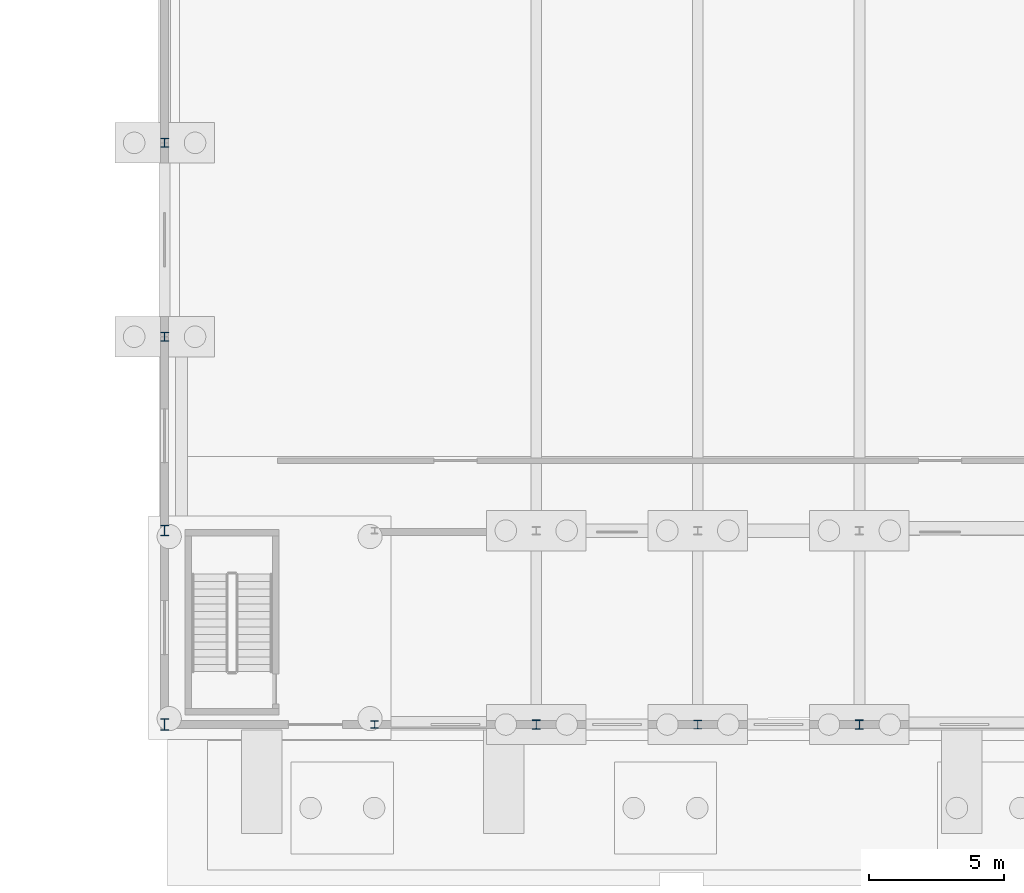
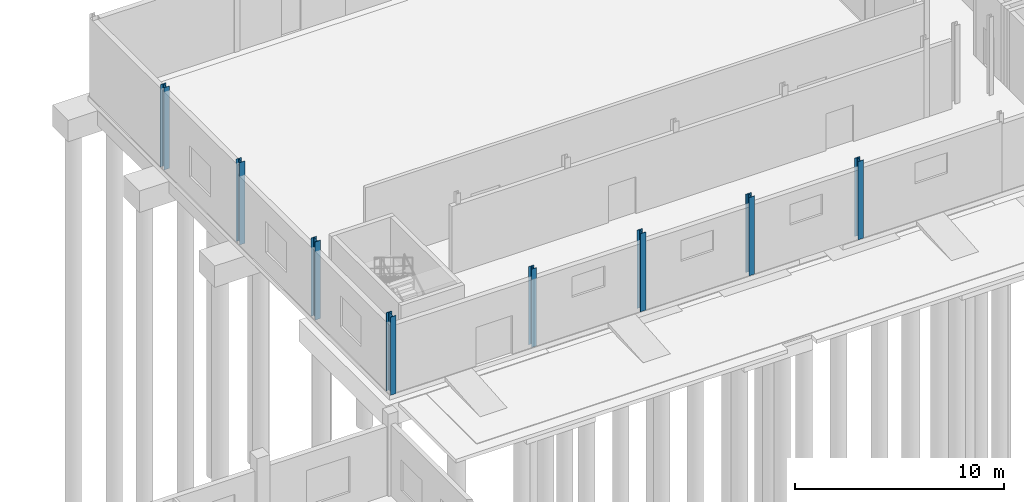
# One storey, part 16 of 91: 8 columns.
"""IFC4 building model written with IfcOpenShell, lengths in metres."""

from ifc_helpers import new_model, si_unit, direction, frame, origin, origin_2d, place, context, subcontext, project, spatial, i_section, extrude, material, material_profile, profile_set, type_object, element, save


model = new_model("IFC4")

# Units and contexts
model_context = context("Model", 3, precision=1e-05, world=origin(), true_north=direction((0.0, 1.0)))
body_context = subcontext(model_context, "Body", "Model", "MODEL_VIEW")
ifc_project = project(units=[si_unit("LENGTHUNIT", "METRE"), si_unit("AREAUNIT", "SQUARE_METRE"), si_unit("VOLUMEUNIT", "CUBIC_METRE"), si_unit("PLANEANGLEUNIT", "RADIAN"), si_unit("MASSUNIT", "GRAM", prefix="KILO")], contexts=[model_context])

# Site, building, storey
site_placement = place(None, origin())
site = spatial("IfcSite", under=ifc_project, at=site_placement, CompositionType="ELEMENT")
building_placement = place(site_placement, origin())
building = spatial("IfcBuilding", under=site, at=building_placement, Name="Vinh Khe Railworks Police Headquarters", CompositionType="ELEMENT")
storey_placement = place(building_placement, origin())
storey = spatial("IfcBuildingStorey", under=building, at=storey_placement, Name="L00", CompositionType="ELEMENT", Elevation=0.0)

# Columns
ifc_material = material(Name="Steel S355JR", Category="steel")
ifc_material_profile_1 = material_profile(ifc_material, i_section(OverallWidth=0.280029296875, OverallDepth=0.27001953125, WebThickness=0.008056640625, FlangeThickness=0.012939453125, FilletRadius=0.02392578125, at=origin_2d()), Name="HEA 280")
ifc_profile_set_1 = profile_set([ifc_material_profile_1], Name="Steel S355JR")
column_type_1 = type_object("IfcColumnType", Name="Steel Column HEA 280", PredefinedType="COLUMN", material=ifc_profile_set_1)
column_1_placement = place(storey_placement, frame((34.199951171875, 138.0, 0.0), z_axis=(0.0, 0.0, 1.0), x_axis=(1.0, 0.0, 0.0)))
element("IfcColumn", 1, at=column_1_placement, inside=storey, type_object=column_type_1, Name="Column COL-L00-SC-19-0816", PredefinedType="COLUMN", context=body_context, shape_type="SweptSolid", body=[
    extrude(i_section(OverallWidth=0.280029296875, OverallDepth=0.27001953125, WebThickness=0.008056640625, FlangeThickness=0.012939453125, FilletRadius=0.02392578125, at=origin_2d()), origin(), (0.0, 0.0, 1.0), 4.56005859375),
])
ifc_material_profile_2 = material_profile(ifc_material, i_section(OverallWidth=0.300048828125, OverallDepth=0.330078125, WebThickness=0.009521484375, FlangeThickness=0.0166015625, FilletRadius=0.027099609375, at=origin_2d()), Name="HEA 340")
ifc_profile_set_2 = profile_set([ifc_material_profile_2], Name="Steel S355JR")
column_type_2 = type_object("IfcColumnType", Name="Steel Column HEA 340", PredefinedType="COLUMN", material=ifc_profile_set_2)
column_2_placement = place(storey_placement, frame((26.39990234375, 159.60009765625, 0.0), z_axis=(0.0, 0.0, 1.0), x_axis=(1.0, 0.0, 0.0)))
element("IfcColumn", 2, at=column_2_placement, inside=storey, type_object=column_type_2, Name="Column COL-L00-SC-17-0776", PredefinedType="COLUMN", context=body_context, shape_type="SweptSolid", body=[
    extrude(i_section(OverallWidth=0.300048828125, OverallDepth=0.330078125, WebThickness=0.009521484375, FlangeThickness=0.0166015625, FilletRadius=0.027099609375, at=origin_2d()), origin(), (0.0, 0.0, 1.0), 4.800048828125),
])
column_3_placement = place(storey_placement, frame((46.199951171875, 138.0, 0.0), z_axis=(0.0, 0.0, 1.0), x_axis=(1.0, 0.0, 0.0)))
element("IfcColumn", 3, at=column_3_placement, inside=storey, type_object=column_type_2, Name="Column COL-L00-SC-17-0934", PredefinedType="COLUMN", context=body_context, shape_type="SweptSolid", body=[
    extrude(i_section(OverallWidth=0.300048828125, OverallDepth=0.330078125, WebThickness=0.009521484375, FlangeThickness=0.0166015625, FilletRadius=0.027099609375, at=origin_2d()), origin(), (0.0, 0.0, 1.0), 4.56005859375),
])
ifc_material_profile_3 = material_profile(ifc_material, i_section(OverallWidth=0.300048828125, OverallDepth=0.35009765625, WebThickness=0.010009765625, FlangeThickness=0.017578125, FilletRadius=0.027099609375, at=origin_2d()), Name="HEA 360")
ifc_profile_set_3 = profile_set([ifc_material_profile_3], Name="Steel S355JR")
column_type_3 = type_object("IfcColumnType", Name="Steel Column HEA 360", PredefinedType="COLUMN", material=ifc_profile_set_3)
column_4_placement = place(storey_placement, frame((26.39990234375, 152.39990234375, 0.0), z_axis=(0.0, 0.0, 1.0), x_axis=(1.0, 0.0, 0.0)))
element("IfcColumn", 4, at=column_4_placement, inside=storey, type_object=column_type_3, Name="Column COL-L00-SC-16-0774", PredefinedType="COLUMN", context=body_context, shape_type="SweptSolid", body=[
    extrude(i_section(OverallWidth=0.300048828125, OverallDepth=0.35009765625, WebThickness=0.010009765625, FlangeThickness=0.017578125, FilletRadius=0.027099609375, at=origin_2d()), origin(), (0.0, 0.0, 1.0), 4.800048828125),
])
ifc_material_profile_4 = material_profile(ifc_material, i_section(OverallWidth=0.300048828125, OverallDepth=0.389892578125, WebThickness=0.010986328125, FlangeThickness=0.01904296875, FilletRadius=0.027099609375, at=origin_2d()), Name="HEA 400")
ifc_profile_set_4 = profile_set([ifc_material_profile_4], Name="Steel S355JR")
column_type_4 = type_object("IfcColumnType", Name="Steel Column HEA 400", PredefinedType="COLUMN", material=ifc_profile_set_4)
column_5_placement = place(storey_placement, frame((26.39990234375, 145.199951171875, 0.0), z_axis=(0.0, 0.0, 1.0), x_axis=(1.0, 0.0, 0.0)))
element("IfcColumn", 5, at=column_5_placement, inside=storey, type_object=column_type_4, Name="Column COL-L00-SC-15-0772", PredefinedType="COLUMN", context=body_context, shape_type="SweptSolid", body=[
    extrude(i_section(OverallWidth=0.300048828125, OverallDepth=0.389892578125, WebThickness=0.010986328125, FlangeThickness=0.01904296875, FilletRadius=0.027099609375, at=origin_2d()), origin(), (0.0, 0.0, 1.0), 4.56005859375),
])
ifc_material_profile_5 = material_profile(ifc_material, i_section(OverallWidth=0.300048828125, OverallDepth=0.43994140625, WebThickness=0.011474609375, FlangeThickness=0.02099609375, FilletRadius=0.027099609375, at=origin_2d()), Name="HEA 450")
ifc_profile_set_5 = profile_set([ifc_material_profile_5], Name="Steel S355JR")
column_type_5 = type_object("IfcColumnType", Name="Steel Column HEA 450", PredefinedType="COLUMN", material=ifc_profile_set_5)
column_6_placement = place(storey_placement, frame((26.39990234375, 138.0, 0.0), z_axis=(0.0, 0.0, 1.0), x_axis=(1.0, 0.0, 0.0)))
element("IfcColumn", 6, at=column_6_placement, inside=storey, type_object=column_type_5, Name="Column COL-L00-SC-14-0770", PredefinedType="COLUMN", context=body_context, shape_type="SweptSolid", body=[
    extrude(i_section(OverallWidth=0.300048828125, OverallDepth=0.43994140625, WebThickness=0.011474609375, FlangeThickness=0.02099609375, FilletRadius=0.027099609375, at=origin_2d()), origin(), (0.0, 0.0, 1.0), 4.56005859375),
])
ifc_material_profile_6 = material_profile(ifc_material, i_section(OverallWidth=0.300048828125, OverallDepth=0.340087890625, WebThickness=0.011962890625, FlangeThickness=0.021484375, FilletRadius=0.027099609375, at=origin_2d()), Name="HEB 340")
ifc_profile_set_6 = profile_set([ifc_material_profile_6], Name="Steel S355JR")
column_type_6 = type_object("IfcColumnType", Name="Steel Column HEB 340", PredefinedType="COLUMN", material=ifc_profile_set_6)
for number, where, z_axis, x_axis, name in (
    (7, (40.199951171875, 138.0, 0.0), (0.0, 0.0, 1.0), (1.0, 0.0, 0.0), "Column COL-L00-SC-10-0873"),
    (8, (52.199951171875, 138.0, 0.0), (0.0, 0.0, 1.0), (1.0, 0.0, 0.0), "Column COL-L00-SC-10-0987"),
):
    element("IfcColumn", number, at=place(storey_placement, frame(where, z_axis=z_axis, x_axis=x_axis)), inside=storey, type_object=column_type_6, Name=name, PredefinedType="COLUMN", context=body_context, shape_type="SweptSolid", body=[
        extrude(i_section(OverallWidth=0.300048828125, OverallDepth=0.340087890625, WebThickness=0.011962890625, FlangeThickness=0.021484375, FilletRadius=0.027099609375, at=origin_2d()), origin(), (0.0, 0.0, 1.0), 4.56005859375),
    ])

save(model, "model.ifc")
